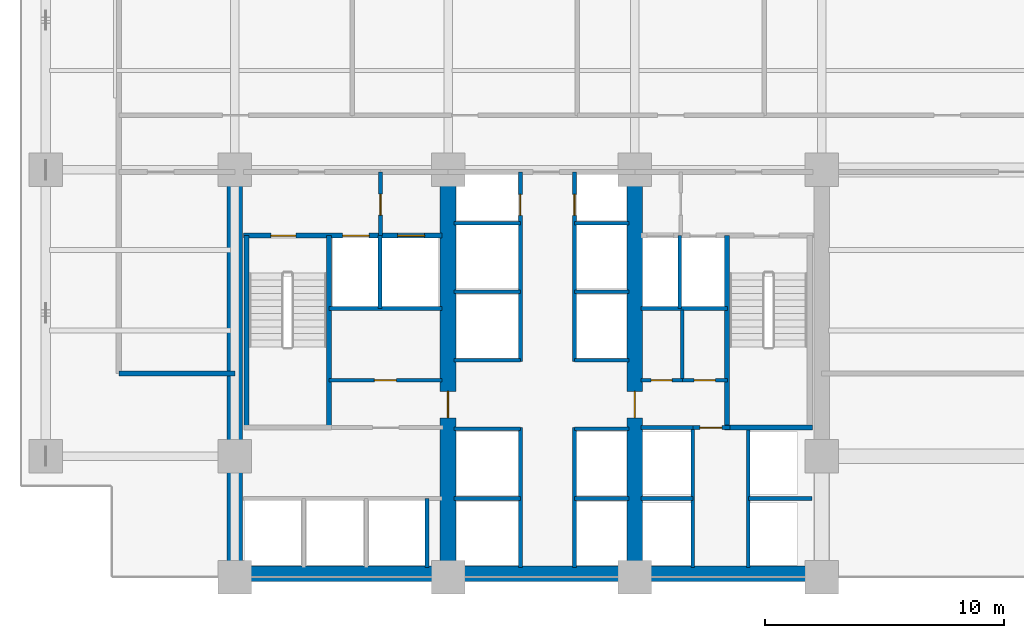
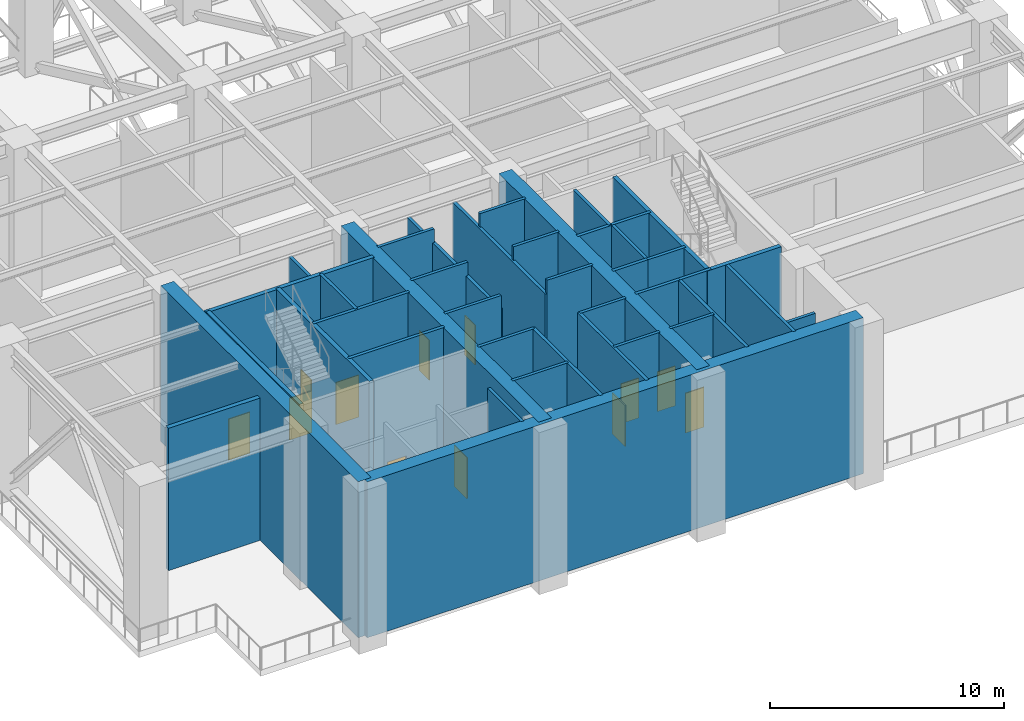
# One storey, part 3 of 7: 40 walls, 12 doors, 12 openings.
"""IFC4 building model written with IfcOpenShell, lengths in metres."""

from ifc_helpers import new_model, si_unit, direction, frame, frame_2d, origin, place, context, subcontext, project, spatial, rectangle, extrude, material, layer, layer_set, type_object, element, fill, save


model = new_model("IFC4")

# Units and contexts
model_context = context("Model", 3, precision=1e-05, world=origin(), true_north=direction((0.0, 1.0)))
body_context = subcontext(model_context, "Body", "Model", "MODEL_VIEW")
ifc_project = project(units=[si_unit("LENGTHUNIT", "METRE"), si_unit("AREAUNIT", "SQUARE_METRE"), si_unit("VOLUMEUNIT", "CUBIC_METRE"), si_unit("PLANEANGLEUNIT", "RADIAN"), si_unit("MASSUNIT", "GRAM", prefix="KILO")], contexts=[model_context])

# Site, building, storey
site_placement = place(None, origin())
site = spatial("IfcSite", under=ifc_project, at=site_placement, CompositionType="ELEMENT")
building_placement = place(site_placement, origin())
building = spatial("IfcBuilding", under=site, at=building_placement, Name="Qalmaran Belvedere Hotel", CompositionType="ELEMENT")
storey_placement = place(building_placement, frame((0.0, 0.0, 75.39990234375)))
storey = spatial("IfcBuildingStorey", under=building, at=storey_placement, Name="L19", CompositionType="ELEMENT", Elevation=75.39990234375)

# Walls
ifc_material_1 = material(Name="Concrete C60/75", Category="concrete")
ifc_layer_1 = layer(ifc_material_1, 0.64990234375, Name="Concrete C60/75")
ifc_layer_set_1 = layer_set([ifc_layer_1], Name="Concrete C60/75")
wall_type_1 = type_object("IfcWallType", Name="WL-CORE-650-C60", PredefinedType="SHEAR", material=ifc_layer_set_1)
wall_1_placement = place(storey_placement, frame((20.300048828125, 3.6298828125, 0.0), z_axis=(0.0, 0.0, 1.0), x_axis=(1.0, 0.0, 0.0)))
element("IfcWall", 1, at=wall_1_placement, inside=storey, type_object=wall_type_1, Name="L19 South Core Shear Wall", PredefinedType="SHEAR", context=body_context, shape_type="SweptSolid", body=[
    extrude(rectangle(XDim=24.5, YDim=0.64990234375, at=frame_2d((12.25, 0.0))), origin(), (0.0, 0.0, 1.0), 8.14013671875),
])
wall_2_placement = place(storey_placement, frame((20.300048828125, 3.5, 0.0), z_axis=(0.0, 0.0, 1.0), x_axis=(0.0, 1.0, 0.0)))
element("IfcWall", 2, at=wall_2_placement, inside=storey, type_object=wall_type_1, Name="L19 West Core Shear Wall", PredefinedType="SHEAR", context=body_context, shape_type="SweptSolid", body=[
    extrude(rectangle(XDim=16.89990234375, YDim=0.64990234375, at=frame_2d((8.449951171875, 0.0))), origin(), (0.0, 0.0, 1.0), 8.14013671875),
])

# Wall, opening, door
wall_3_placement = place(storey_placement, frame((29.199951171875, 3.5, 0.0), z_axis=(0.0, 0.0, 1.0), x_axis=(0.0, 1.0, 0.0)))
wall_3 = element("IfcWall", 3, at=wall_3_placement, inside=storey, type_object=wall_type_1, Name="L19 Core West Spine Shear Wall", PredefinedType="SHEAR", context=body_context, shape_type="SweptSolid", body=[
    extrude(rectangle(XDim=16.89990234375, YDim=0.64990234375, at=frame_2d((8.449951171875, 0.0))), origin(), (0.0, 0.0, 1.0), 8.14013671875),
])
opening_1_placement = place(wall_3_placement, frame((7.75, 0.0, 0.0), z_axis=(0.0, 0.0, 1.0), x_axis=(-1.0, 0.0, 0.0)))
opening_1 = element("IfcOpeningElement", 4, at=opening_1_placement, cuts=wall_3, Name="Opening FD90", PredefinedType="OPENING", context=body_context, shape_type="SweptSolid", body=[
    extrude(rectangle(XDim=1.10009765625, YDim=2.14990234375, at=frame_2d((0.550048828125, 1.074951171875))), frame((0.0, 0.3349609375, 0.0), z_axis=(0.0, -1.0, 0.0), x_axis=(1.0, 0.0, 0.0)), (0.0, 0.0, 1.0), 0.669921875),
])
ifc_material_2 = material(Name="Steel S355JR", Category="steel")
door_type_1 = type_object("IfcDoorType", Name="DR-FD90-1100X2150", OperationType="NOTDEFINED", PredefinedType="DOOR", material=ifc_material_2)
door_1_placement = place(opening_1_placement, origin())
door_1 = element("IfcDoor", 5, at=door_1_placement, inside=storey, type_object=door_type_1, Name="L19 Core West Cross-Lobby Door", OperationType="SINGLE_SWING_RIGHT", OverallHeight=2.14990234375, OverallWidth=1.10009765625, PredefinedType="DOOR", context=body_context, shape_type="SweptSolid", body=[
    extrude(rectangle(XDim=1.10009765625, YDim=2.14990234375, at=frame_2d((0.550048828125, 1.074951171875))), frame((0.0, 0.02490234375, 0.0), z_axis=(0.0, -1.0, 0.0), x_axis=(1.0, 0.0, 0.0)), (0.0, 0.0, 1.0), 0.050048828125),
])
fill(opening_1, door_1)

wall_4_placement = place(storey_placement, frame((37.0, 3.5, 0.0), z_axis=(0.0, 0.0, 1.0), x_axis=(0.0, 1.0, 0.0)))
wall_4 = element("IfcWall", 6, at=wall_4_placement, inside=storey, type_object=wall_type_1, Name="L19 Core East Spine Shear Wall", PredefinedType="SHEAR", context=body_context, shape_type="SweptSolid", body=[
    extrude(rectangle(XDim=16.89990234375, YDim=0.64990234375, at=frame_2d((8.449951171875, 0.0))), origin(), (0.0, 0.0, 1.0), 8.14013671875),
])
opening_2_placement = place(wall_4_placement, frame((6.64990234375, 0.0, 0.0)))
opening_2 = element("IfcOpeningElement", 7, at=opening_2_placement, cuts=wall_4, Name="Opening FD90", PredefinedType="OPENING", context=body_context, shape_type="SweptSolid", body=[
    extrude(rectangle(XDim=1.10009765625, YDim=2.14990234375, at=frame_2d((0.550048828125, 1.074951171875))), frame((0.0, 0.3349609375, 0.0), z_axis=(0.0, -1.0, 0.0), x_axis=(1.0, 0.0, 0.0)), (0.0, 0.0, 1.0), 0.669921875),
])
door_2_placement = place(opening_2_placement, origin())
door_2 = element("IfcDoor", 8, at=door_2_placement, inside=storey, type_object=door_type_1, Name="L19 Core East Cross-Lobby Door", OperationType="SINGLE_SWING_LEFT", OverallHeight=2.14990234375, OverallWidth=1.10009765625, PredefinedType="DOOR", context=body_context, shape_type="SweptSolid", body=[
    extrude(rectangle(XDim=1.10009765625, YDim=2.14990234375, at=frame_2d((0.550048828125, 1.074951171875))), frame((0.0, 0.02490234375, 0.0), z_axis=(0.0, -1.0, 0.0), x_axis=(1.0, 0.0, 0.0)), (0.0, 0.0, 1.0), 0.050048828125),
])
fill(opening_2, door_2)

# Walls
ifc_material_3 = material(Name="Gypsum Stud Partition")
ifc_layer_2 = layer(ifc_material_3, 0.14990234375, Name="Gypsum Stud Partition")
ifc_layer_set_2 = layer_set([ifc_layer_2], Name="Gypsum Stud Partition")
wall_type_2 = type_object("IfcWallType", Name="WL-INT-150-EI120", PredefinedType="PARTITIONING", material=ifc_layer_set_2)
for number, where, z_axis, x_axis, name in (
    (9, (26.360107421875, 14.719970703125, 0.0), (0.0, 0.0, 1.0), (0.0, 1.0, 0.0), "L19 Partition WL-FF1M-L19"),
    (10, (38.8798828125, 14.719970703125, 0.0), (0.0, 0.0, 1.0), (0.0, 1.0, 0.0), "L19 Partition WL-FF2M-L19"),
):
    element("IfcWall", number, at=place(storey_placement, frame(where, z_axis=z_axis, x_axis=x_axis)), inside=storey, type_object=wall_type_2, Name=name, PredefinedType="PARTITIONING", context=body_context, shape_type="SweptSolid", body=[
        extrude(rectangle(XDim=3.0400390625, YDim=0.14990234375, at=frame_2d((1.52001953125, 0.0))), origin(), (0.0, 0.0, 1.0), 8.14013671875),
    ])
wall_5_placement = place(storey_placement, frame((28.320068359375, 3.89990234375, 0.0), z_axis=(0.0, 0.0, 1.0), x_axis=(0.0, 1.0, 0.0)))
element("IfcWall", 11, at=wall_5_placement, inside=storey, type_object=wall_type_2, Name="L19 Partition WL-POM3-L19", PredefinedType="PARTITIONING", context=body_context, shape_type="SweptSolid", body=[
    extrude(rectangle(XDim=2.880126953125, YDim=0.14990234375, at=frame_2d((1.43994140625, 0.0))), origin(), (0.0, 0.0, 1.0), 8.14013671875),
])
wall_6_placement = place(storey_placement, frame((37.25, 6.780029296875, 0.0), z_axis=(0.0, 0.0, 1.0), x_axis=(1.0, 0.0, 0.0)))
element("IfcWall", 12, at=wall_6_placement, inside=storey, type_object=wall_type_2, Name="L19 Partition WL-PHMW-L19", PredefinedType="PARTITIONING", context=body_context, shape_type="SweptSolid", body=[
    extrude(rectangle(XDim=2.169921875, YDim=0.14990234375, at=frame_2d((1.0849609375, 0.0))), origin(), (0.0, 0.0, 1.0), 8.14013671875),
])
wall_7_placement = place(storey_placement, frame((41.739990234375, 6.780029296875, 0.0), z_axis=(0.0, 0.0, 1.0), x_axis=(1.0, 0.0, 0.0)))
element("IfcWall", 13, at=wall_7_placement, inside=storey, type_object=wall_type_2, Name="L19 Partition WL-PHME-L19", PredefinedType="PARTITIONING", context=body_context, shape_type="SweptSolid", body=[
    extrude(rectangle(XDim=2.659912109375, YDim=0.14990234375, at=frame_2d((1.330078125, 0.0))), origin(), (0.0, 0.0, 1.0), 6.445068359375),
])
wall_8_placement = place(storey_placement, frame((29.449951171875, 6.780029296875, 0.0), z_axis=(0.0, 0.0, 1.0), x_axis=(1.0, 0.0, 0.0)))
element("IfcWall", 14, at=wall_8_placement, inside=storey, type_object=wall_type_2, Name="L19 Partition WL-PLW-L19-67", PredefinedType="PARTITIONING", context=body_context, shape_type="SweptSolid", body=[
    extrude(rectangle(XDim=2.77001953125, YDim=0.14990234375, at=frame_2d((1.385009765625, 0.0))), origin(), (0.0, 0.0, 1.0), 8.14013671875),
])
wall_9_placement = place(storey_placement, frame((34.47998046875, 6.780029296875, 0.0), z_axis=(0.0, 0.0, 1.0), x_axis=(1.0, 0.0, 0.0)))
element("IfcWall", 15, at=wall_9_placement, inside=storey, type_object=wall_type_2, Name="L19 Partition WL-PLE-L19-67", PredefinedType="PARTITIONING", context=body_context, shape_type="SweptSolid", body=[
    extrude(rectangle(XDim=2.27001953125, YDim=0.14990234375, at=frame_2d((1.135009765625, 0.0))), origin(), (0.0, 0.0, 1.0), 8.14013671875),
])
wall_10_placement = place(storey_placement, frame((29.449951171875, 9.699951171875, 0.0), z_axis=(0.0, 0.0, 1.0), x_axis=(1.0, 0.0, 0.0)))
element("IfcWall", 16, at=wall_10_placement, inside=storey, type_object=wall_type_2, Name="L19 Partition WL-PLW-L19-97", PredefinedType="PARTITIONING", context=body_context, shape_type="SweptSolid", body=[
    extrude(rectangle(XDim=2.77001953125, YDim=0.14990234375, at=frame_2d((1.385009765625, 0.0))), origin(), (0.0, 0.0, 1.0), 8.14013671875),
])
wall_11_placement = place(storey_placement, frame((34.47998046875, 9.699951171875, 0.0), z_axis=(0.0, 0.0, 1.0), x_axis=(1.0, 0.0, 0.0)))
element("IfcWall", 17, at=wall_11_placement, inside=storey, type_object=wall_type_2, Name="L19 Partition WL-PLE-L19-97", PredefinedType="PARTITIONING", context=body_context, shape_type="SweptSolid", body=[
    extrude(rectangle(XDim=2.27001953125, YDim=0.14990234375, at=frame_2d((1.135009765625, 0.0))), origin(), (0.0, 0.0, 1.0), 8.14013671875),
])
wall_12_placement = place(storey_placement, frame((29.449951171875, 12.550048828125, 0.0), z_axis=(0.0, 0.0, 1.0), x_axis=(1.0, 0.0, 0.0)))
element("IfcWall", 18, at=wall_12_placement, inside=storey, type_object=wall_type_2, Name="L19 Partition WL-PMW-L19-125", PredefinedType="PARTITIONING", context=body_context, shape_type="SweptSolid", body=[
    extrude(rectangle(XDim=2.77001953125, YDim=0.14990234375, at=frame_2d((1.385009765625, 0.0))), origin(), (0.0, 0.0, 1.0), 8.14013671875),
])
wall_13_placement = place(storey_placement, frame((34.47998046875, 12.550048828125, 0.0), z_axis=(0.0, 0.0, 1.0), x_axis=(1.0, 0.0, 0.0)))
element("IfcWall", 19, at=wall_13_placement, inside=storey, type_object=wall_type_2, Name="L19 Partition WL-PME-L19-125", PredefinedType="PARTITIONING", context=body_context, shape_type="SweptSolid", body=[
    extrude(rectangle(XDim=2.27001953125, YDim=0.14990234375, at=frame_2d((1.135009765625, 0.0))), origin(), (0.0, 0.0, 1.0), 8.14013671875),
])
wall_14_placement = place(storey_placement, frame((29.449951171875, 15.419921875, 0.0), z_axis=(0.0, 0.0, 1.0), x_axis=(1.0, 0.0, 0.0)))
element("IfcWall", 20, at=wall_14_placement, inside=storey, type_object=wall_type_2, Name="L19 Partition WL-PMW-L19-154", PredefinedType="PARTITIONING", context=body_context, shape_type="SweptSolid", body=[
    extrude(rectangle(XDim=2.77001953125, YDim=0.14990234375, at=frame_2d((1.385009765625, 0.0))), origin(), (0.0, 0.0, 1.0), 8.14013671875),
])
wall_15_placement = place(storey_placement, frame((34.47998046875, 15.419921875, 0.0), z_axis=(0.0, 0.0, 1.0), x_axis=(1.0, 0.0, 0.0)))
element("IfcWall", 21, at=wall_15_placement, inside=storey, type_object=wall_type_2, Name="L19 Partition WL-PME-L19-154", PredefinedType="PARTITIONING", context=body_context, shape_type="SweptSolid", body=[
    extrude(rectangle(XDim=2.27001953125, YDim=0.14990234375, at=frame_2d((1.135009765625, 0.0))), origin(), (0.0, 0.0, 1.0), 8.14013671875),
])
wall_16_placement = place(storey_placement, frame((29.449951171875, 18.280029296875, 0.0), z_axis=(0.0, 0.0, 1.0), x_axis=(1.0, 0.0, 0.0)))
element("IfcWall", 22, at=wall_16_placement, inside=storey, type_object=wall_type_2, Name="L19 Partition WL-PMW-L19-182", PredefinedType="PARTITIONING", context=body_context, shape_type="SweptSolid", body=[
    extrude(rectangle(XDim=2.77001953125, YDim=0.14990234375, at=frame_2d((1.385009765625, 0.0))), origin(), (0.0, 0.0, 1.0), 8.14013671875),
])
wall_17_placement = place(storey_placement, frame((34.47998046875, 18.280029296875, 0.0), z_axis=(0.0, 0.0, 1.0), x_axis=(1.0, 0.0, 0.0)))
element("IfcWall", 23, at=wall_17_placement, inside=storey, type_object=wall_type_2, Name="L19 Partition WL-PME-L19-182", PredefinedType="PARTITIONING", context=body_context, shape_type="SweptSolid", body=[
    extrude(rectangle(XDim=2.27001953125, YDim=0.14990234375, at=frame_2d((1.135009765625, 0.0))), origin(), (0.0, 0.0, 1.0), 8.14013671875),
])
ifc_layer_3 = layer(ifc_material_3, 0.14990234375, Name="Gypsum Stud Partition")
ifc_layer_set_3 = layer_set([ifc_layer_3], Name="Gypsum Stud Partition")
wall_type_3 = type_object("IfcWallType", Name="WL-INT-150-EI60", PredefinedType="PARTITIONING", material=ifc_layer_set_3)
wall_18_placement = place(storey_placement, frame((38.98291015625, 11.719970703125, 0.0), z_axis=(0.0, 0.0, 1.0), x_axis=(0.0, 1.0, 0.0)))
element("IfcWall", 24, at=wall_18_placement, inside=storey, type_object=wall_type_3, Name="L19 Partition WL-L19-KEV1", PredefinedType="PARTITIONING", context=body_context, shape_type="SweptSolid", body=[
    extrude(rectangle(XDim=2.929931640625, YDim=0.14990234375, at=frame_2d((1.46484375, 0.0))), origin(), (0.0, 0.0, 1.0), 8.14013671875),
])

# Wall, opening, door
ifc_layer_4 = layer(ifc_material_3, 0.159912109375, Name="Gypsum Stud Partition")
ifc_layer_set_4 = layer_set([ifc_layer_4], Name="Gypsum Stud Partition")
wall_type_4 = type_object("IfcWallType", Name="WL-INT-160-EI120", PredefinedType="PARTITIONING", material=ifc_layer_set_4)
wall_19_placement = place(storey_placement, frame((26.3798828125, 17.760009765625, 0.0), z_axis=(0.0, 0.0, 1.0), x_axis=(0.0, 1.0, 0.0)))
wall_19 = element("IfcWall", 25, at=wall_19_placement, inside=storey, type_object=wall_type_4, Name="L19 Partition WL-FFSV1-L19", PredefinedType="PARTITIONING", context=body_context, shape_type="SweptSolid", body=[
    extrude(rectangle(XDim=2.659912109375, YDim=0.159912109375, at=frame_2d((1.330078125, 0.0))), origin(), (0.0, 0.0, 1.0), 7.43017578125),
])
opening_3_placement = place(wall_19_placement, frame((0.85009765625, 0.0, 0.0)))
opening_3 = element("IfcOpeningElement", 26, at=opening_3_placement, cuts=wall_19, Name="Opening FD60B", PredefinedType="OPENING", context=body_context, shape_type="SweptSolid", body=[
    extrude(rectangle(XDim=0.8798828125, YDim=2.080078125, at=frame_2d((0.43994140625, 1.0400390625))), frame((0.0, 0.08984375, 0.0), z_axis=(0.0, -1.0, 0.0), x_axis=(1.0, 0.0, 0.0)), (0.0, 0.0, 1.0), 0.179931640625),
])
door_type_2 = type_object("IfcDoorType", Name="DR-FD60B-880X2080", OperationType="NOTDEFINED", PredefinedType="DOOR", material=ifc_material_2)
door_3_placement = place(opening_3_placement, origin())
door_3 = element("IfcDoor", 27, at=door_3_placement, inside=storey, type_object=door_type_2, Name="L19 Service Lobby West Door", OperationType="SINGLE_SWING_RIGHT", OverallHeight=2.080078125, OverallWidth=0.8798828125, PredefinedType="DOOR", context=body_context, shape_type="SweptSolid", body=[
    extrude(rectangle(XDim=0.8798828125, YDim=2.080078125, at=frame_2d((0.43994140625, 1.0400390625))), frame((0.0, 0.02490234375, 0.0), z_axis=(0.0, -1.0, 0.0), x_axis=(1.0, 0.0, 0.0)), (0.0, 0.0, 1.0), 0.050048828125),
])
fill(opening_3, door_3)

# Walls
wall_20_placement = place(storey_placement, frame((24.219970703125, 14.719970703125, 0.0), z_axis=(0.0, 0.0, 1.0), x_axis=(1.0, 0.0, 0.0)))
element("IfcWall", 28, at=wall_20_placement, inside=storey, type_object=wall_type_4, Name="L19 Partition WL-FF1S-L19", PredefinedType="PARTITIONING", context=body_context, shape_type="SweptSolid", body=[
    extrude(rectangle(XDim=4.72998046875, YDim=0.159912109375, at=frame_2d((2.364990234375, 0.0))), origin(), (0.0, 0.0, 1.0), 8.14013671875),
])
wall_21_placement = place(storey_placement, frame((37.25, 14.719970703125, 0.0), z_axis=(0.0, 0.0, 1.0), x_axis=(1.0, 0.0, 0.0)))
element("IfcWall", 29, at=wall_21_placement, inside=storey, type_object=wall_type_4, Name="L19 Partition WL-FF2S-L19", PredefinedType="PARTITIONING", context=body_context, shape_type="SweptSolid", body=[
    extrude(rectangle(XDim=3.610107421875, YDim=0.159912109375, at=frame_2d((1.80517578125, 0.0))), origin(), (0.0, 0.0, 1.0), 8.14013671875),
])
for number, where, z_axis, x_axis, name in (
    (30, (39.419921875, 3.89990234375, 0.0), (0.0, 0.0, 1.0), (0.0, 1.0, 0.0), "L19 Partition WL-PHW-L19"),
    (31, (41.739990234375, 3.89990234375, 0.0), (0.0, 0.0, 1.0), (0.0, 1.0, 0.0), "L19 Partition WL-PHE-L19"),
):
    element("IfcWall", number, at=place(storey_placement, frame(where, z_axis=z_axis, x_axis=x_axis)), inside=storey, type_object=wall_type_4, Name=name, PredefinedType="PARTITIONING", context=body_context, shape_type="SweptSolid", body=[
        extrude(rectangle(XDim=5.840087890625, YDim=0.159912109375, at=frame_2d((2.919921875, 0.0))), origin(), (0.0, 0.0, 1.0), 8.14013671875),
    ])
wall_22_placement = place(storey_placement, frame((37.25, 9.739990234375, 0.0), z_axis=(0.0, 0.0, 1.0), x_axis=(1.0, 0.0, 0.0)))
element("IfcWall", 32, at=wall_22_placement, inside=storey, type_object=wall_type_4, Name="L19 Partition WL-PHNW-L19", PredefinedType="PARTITIONING", context=body_context, shape_type="SweptSolid", body=[
    extrude(rectangle(XDim=2.169921875, YDim=0.159912109375, at=frame_2d((1.0849609375, 0.0))), origin(), (0.0, 0.0, 1.0), 8.14013671875),
])

# Wall, opening, door
wall_23_placement = place(storey_placement, frame((39.419921875, 9.739990234375, 0.0), z_axis=(0.0, 0.0, 1.0), x_axis=(1.0, 0.0, 0.0)))
wall_23 = element("IfcWall", 33, at=wall_23_placement, inside=storey, type_object=wall_type_4, Name="L19 Partition WL-PHNL-L19", PredefinedType="PARTITIONING", context=body_context, shape_type="SweptSolid", body=[
    extrude(rectangle(XDim=1.56005859375, YDim=0.159912109375, at=frame_2d((0.780029296875, 0.0))), origin(), (0.0, 0.0, 1.0), 8.14013671875),
])
opening_4_placement = place(wall_23_placement, frame((0.300048828125, 0.0, 0.0)))
opening_4 = element("IfcOpeningElement", 34, at=opening_4_placement, cuts=wall_23, Name="Opening FD60S1", PredefinedType="OPENING", context=body_context, shape_type="SweptSolid", body=[
    extrude(rectangle(XDim=0.919921875, YDim=2.080078125, at=frame_2d((0.4599609375, 1.0400390625))), frame((0.0, 0.08984375, 0.0), z_axis=(0.0, -1.0, 0.0), x_axis=(1.0, 0.0, 0.0)), (0.0, 0.0, 1.0), 0.179931640625),
])
ifc_material_4 = material(Name="Engineered Oak Veneer")
door_type_3 = type_object("IfcDoorType", Name="DR-FD60S-920X2080", OperationType="NOTDEFINED", PredefinedType="DOOR", material=ifc_material_4)
door_4_placement = place(opening_4_placement, origin())
door_4 = element("IfcDoor", 35, at=door_4_placement, inside=storey, type_object=door_type_3, Name="L19 High-Rise Lift Lobby Passage Door", OperationType="SINGLE_SWING_LEFT", OverallHeight=2.080078125, OverallWidth=0.919921875, PredefinedType="DOOR", context=body_context, shape_type="SweptSolid", body=[
    extrude(rectangle(XDim=0.919921875, YDim=2.080078125, at=frame_2d((0.4599609375, 1.0400390625))), frame((0.0, 0.02490234375, 0.0), z_axis=(0.0, -1.0, 0.0), x_axis=(1.0, 0.0, 0.0)), (0.0, 0.0, 1.0), 0.050048828125),
])
fill(opening_4, door_4)

# Walls
for number, where, z_axis, x_axis, name in (
    (36, (32.219970703125, 3.89990234375, 0.0), (0.0, 0.0, 1.0), (0.0, 1.0, 0.0), "L19 Partition WL-CLBWS-L19"),
    (37, (34.47998046875, 3.89990234375, 0.0), (0.0, 0.0, 1.0), (0.0, 1.0, 0.0), "L19 Partition WL-CLBES-L19"),
):
    element("IfcWall", number, at=place(storey_placement, frame(where, z_axis=z_axis, x_axis=x_axis)), inside=storey, type_object=wall_type_4, Name=name, PredefinedType="PARTITIONING", context=body_context, shape_type="SweptSolid", body=[
        extrude(rectangle(XDim=5.840087890625, YDim=0.159912109375, at=frame_2d((2.919921875, 0.0))), origin(), (0.0, 0.0, 1.0), 8.14013671875),
    ])

# Wall, opening, door
wall_24_placement = place(storey_placement, frame((32.219970703125, 12.5, 0.0), z_axis=(0.0, 0.0, 1.0), x_axis=(0.0, 1.0, 0.0)))
wall_24 = element("IfcWall", 38, at=wall_24_placement, inside=storey, type_object=wall_type_4, Name="L19 Partition WL-CLBWN-L19", PredefinedType="PARTITIONING", context=body_context, shape_type="SweptSolid", body=[
    extrude(rectangle(XDim=7.919921875, YDim=0.159912109375, at=frame_2d((3.9599609375, 0.0))), origin(), (0.0, 0.0, 1.0), 7.43017578125),
])
opening_5_placement = place(wall_24_placement, frame((6.10009765625, 0.0, 0.0)))
opening_5 = element("IfcOpeningElement", 39, at=opening_5_placement, cuts=wall_24, Name="Opening FD60B", PredefinedType="OPENING", context=body_context, shape_type="SweptSolid", body=[
    extrude(rectangle(XDim=0.8798828125, YDim=2.080078125, at=frame_2d((0.43994140625, 1.0400390625))), frame((0.0, 0.08984375, 0.0), z_axis=(0.0, -1.0, 0.0), x_axis=(1.0, 0.0, 0.0)), (0.0, 0.0, 1.0), 0.179931640625),
])
door_5_placement = place(opening_5_placement, origin())
door_5 = element("IfcDoor", 40, at=door_5_placement, inside=storey, type_object=door_type_2, Name="L19 West Riser Access Door", OperationType="SINGLE_SWING_RIGHT", OverallHeight=2.080078125, OverallWidth=0.8798828125, PredefinedType="DOOR", context=body_context, shape_type="SweptSolid", body=[
    extrude(rectangle(XDim=0.8798828125, YDim=2.080078125, at=frame_2d((0.43994140625, 1.0400390625))), frame((0.0, 0.02490234375, 0.0), z_axis=(0.0, -1.0, 0.0), x_axis=(1.0, 0.0, 0.0)), (0.0, 0.0, 1.0), 0.050048828125),
])
fill(opening_5, door_5)

wall_25_placement = place(storey_placement, frame((34.47998046875, 12.5, 0.0), z_axis=(0.0, 0.0, 1.0), x_axis=(0.0, 1.0, 0.0)))
wall_25 = element("IfcWall", 41, at=wall_25_placement, inside=storey, type_object=wall_type_4, Name="L19 Partition WL-CLBEN-L19", PredefinedType="PARTITIONING", context=body_context, shape_type="SweptSolid", body=[
    extrude(rectangle(XDim=7.919921875, YDim=0.159912109375, at=frame_2d((3.9599609375, 0.0))), origin(), (0.0, 0.0, 1.0), 7.43017578125),
])
opening_6_placement = place(wall_25_placement, frame((6.97998046875, 0.0, 0.0), z_axis=(0.0, 0.0, 1.0), x_axis=(-1.0, 0.0, 0.0)))
opening_6 = element("IfcOpeningElement", 42, at=opening_6_placement, cuts=wall_25, Name="Opening FD60B", PredefinedType="OPENING", context=body_context, shape_type="SweptSolid", body=[
    extrude(rectangle(XDim=0.8798828125, YDim=2.080078125, at=frame_2d((0.43994140625, 1.0400390625))), frame((0.0, 0.08984375, 0.0), z_axis=(0.0, -1.0, 0.0), x_axis=(1.0, 0.0, 0.0)), (0.0, 0.0, 1.0), 0.179931640625),
])
door_6_placement = place(opening_6_placement, origin())
door_6 = element("IfcDoor", 43, at=door_6_placement, inside=storey, type_object=door_type_2, Name="L19 East Riser Access Door", OperationType="SINGLE_SWING_LEFT", OverallHeight=2.080078125, OverallWidth=0.8798828125, PredefinedType="DOOR", context=body_context, shape_type="SweptSolid", body=[
    extrude(rectangle(XDim=0.8798828125, YDim=2.080078125, at=frame_2d((0.43994140625, 1.0400390625))), frame((0.0, 0.02490234375, 0.0), z_axis=(0.0, -1.0, 0.0), x_axis=(1.0, 0.0, 0.0)), (0.0, 0.0, 1.0), 0.050048828125),
])
fill(opening_6, door_6)

ifc_layer_5 = layer(ifc_material_3, 0.159912109375, Name="Gypsum Stud Partition")
ifc_layer_set_5 = layer_set([ifc_layer_5], Name="Gypsum Stud Partition")
wall_type_5 = type_object("IfcWallType", Name="WL-INT-160-EI60", PredefinedType="PARTITIONING", material=ifc_layer_set_5)
wall_26_placement = place(storey_placement, frame((24.219970703125, 11.719970703125, 0.0), z_axis=(0.0, 0.0, 1.0), x_axis=(1.0, 0.0, 0.0)))
wall_26 = element("IfcWall", 44, at=wall_26_placement, inside=storey, type_object=wall_type_5, Name="L19 Partition WL-L19-KWE1", PredefinedType="PARTITIONING", context=body_context, shape_type="SweptSolid", body=[
    extrude(rectangle(XDim=4.72998046875, YDim=0.159912109375, at=frame_2d((2.364990234375, 0.0))), origin(), (0.0, 0.0, 1.0), 8.14013671875),
])
opening_7_placement = place(wall_26_placement, frame((1.905029296875, 0.0, 0.0)))
opening_7 = element("IfcOpeningElement", 45, at=opening_7_placement, cuts=wall_26, Name="Opening FD60S1", PredefinedType="OPENING", context=body_context, shape_type="SweptSolid", body=[
    extrude(rectangle(XDim=0.919921875, YDim=2.080078125, at=frame_2d((0.4599609375, 1.0400390625))), frame((0.0, 0.08984375, 0.0), z_axis=(0.0, -1.0, 0.0), x_axis=(1.0, 0.0, 0.0)), (0.0, 0.0, 1.0), 0.179931640625),
])
door_7_placement = place(opening_7_placement, origin())
door_7 = element("IfcDoor", 46, at=door_7_placement, inside=storey, type_object=door_type_3, Name="L19 Electrical Switchgear Plant Room Door", OperationType="SINGLE_SWING_LEFT", OverallHeight=2.080078125, OverallWidth=0.919921875, PredefinedType="DOOR", context=body_context, shape_type="SweptSolid", body=[
    extrude(rectangle(XDim=0.919921875, YDim=2.080078125, at=frame_2d((0.4599609375, 1.0400390625))), frame((0.0, 0.02490234375, 0.0), z_axis=(0.0, -1.0, 0.0), x_axis=(1.0, 0.0, 0.0)), (0.0, 0.0, 1.0), 0.050048828125),
])
fill(opening_7, door_7)

wall_27_placement = place(storey_placement, frame((37.25, 11.719970703125, 0.0), z_axis=(0.0, 0.0, 1.0), x_axis=(1.0, 0.0, 0.0)))
wall_27 = element("IfcWall", 47, at=wall_27_placement, inside=storey, type_object=wall_type_5, Name="L19 Partition WL-L19-KEE1", PredefinedType="PARTITIONING", context=body_context, shape_type="SweptSolid", body=[
    extrude(rectangle(XDim=1.73291015625, YDim=0.159912109375, at=frame_2d((0.866455078125, 0.0))), origin(), (0.0, 0.0, 1.0), 8.14013671875),
])
opening_8_placement = place(wall_27_placement, frame((0.426513671875, 0.0, 0.0)))
opening_8 = element("IfcOpeningElement", 48, at=opening_8_placement, cuts=wall_27, Name="Opening FD60B", PredefinedType="OPENING", context=body_context, shape_type="SweptSolid", body=[
    extrude(rectangle(XDim=0.8798828125, YDim=2.080078125, at=frame_2d((0.43994140625, 1.0400390625))), frame((0.0, 0.08984375, 0.0), z_axis=(0.0, -1.0, 0.0), x_axis=(1.0, 0.0, 0.0)), (0.0, 0.0, 1.0), 0.179931640625),
])
door_8_placement = place(opening_8_placement, origin())
door_8 = element("IfcDoor", 49, at=door_8_placement, inside=storey, type_object=door_type_2, Name="L19 Smoke Control Plant Room Door", OperationType="SINGLE_SWING_RIGHT", OverallHeight=2.080078125, OverallWidth=0.8798828125, PredefinedType="DOOR", context=body_context, shape_type="SweptSolid", body=[
    extrude(rectangle(XDim=0.8798828125, YDim=2.080078125, at=frame_2d((0.43994140625, 1.0400390625))), frame((0.0, 0.02490234375, 0.0), z_axis=(0.0, -1.0, 0.0), x_axis=(1.0, 0.0, 0.0)), (0.0, 0.0, 1.0), 0.050048828125),
])
fill(opening_8, door_8)

wall_28_placement = place(storey_placement, frame((38.98291015625, 11.719970703125, 0.0), z_axis=(0.0, 0.0, 1.0), x_axis=(1.0, 0.0, 0.0)))
wall_28 = element("IfcWall", 50, at=wall_28_placement, inside=storey, type_object=wall_type_5, Name="L19 Partition WL-L19-KEE2", PredefinedType="PARTITIONING", context=body_context, shape_type="SweptSolid", body=[
    extrude(rectangle(XDim=1.877197265625, YDim=0.159912109375, at=frame_2d((0.9384765625, 0.0))), origin(), (0.0, 0.0, 1.0), 8.14013671875),
])
opening_9_placement = place(wall_28_placement, frame((0.49853515625, 0.0, 0.0)))
opening_9 = element("IfcOpeningElement", 51, at=opening_9_placement, cuts=wall_28, Name="Opening FD60B", PredefinedType="OPENING", context=body_context, shape_type="SweptSolid", body=[
    extrude(rectangle(XDim=0.8798828125, YDim=2.080078125, at=frame_2d((0.43994140625, 1.0400390625))), frame((0.0, 0.08984375, 0.0), z_axis=(0.0, -1.0, 0.0), x_axis=(1.0, 0.0, 0.0)), (0.0, 0.0, 1.0), 0.179931640625),
])
door_9_placement = place(opening_9_placement, origin())
door_9 = element("IfcDoor", 52, at=door_9_placement, inside=storey, type_object=door_type_2, Name="L19 Low Voltage Switch Plant Room Door", OperationType="SINGLE_SWING_LEFT", OverallHeight=2.080078125, OverallWidth=0.8798828125, PredefinedType="DOOR", context=body_context, shape_type="SweptSolid", body=[
    extrude(rectangle(XDim=0.8798828125, YDim=2.080078125, at=frame_2d((0.43994140625, 1.0400390625))), frame((0.0, 0.02490234375, 0.0), z_axis=(0.0, -1.0, 0.0), x_axis=(1.0, 0.0, 0.0)), (0.0, 0.0, 1.0), 0.050048828125),
])
fill(opening_9, door_9)

# Walls
ifc_material_5 = material(Name="Concrete C30/37 Blockwork", Category="masonry")
ifc_layer_6 = layer(ifc_material_5, 0.219970703125, Name="Concrete C30/37 Blockwork")
ifc_layer_set_6 = layer_set([ifc_layer_6], Name="Concrete C30/37 Blockwork")
wall_type_6 = type_object("IfcWallType", Name="WL-INT-220-EI120", PredefinedType="PARTITIONING", material=ifc_layer_set_6)
wall_29_placement = place(storey_placement, frame((15.449951171875, 12.0, 0.0), z_axis=(0.0, 0.0, 1.0), x_axis=(1.0, 0.0, 0.0)))
element("IfcWall", 53, at=wall_29_placement, inside=storey, type_object=wall_type_6, Name="L19 Partition WL-L19-PRSW", PredefinedType="PARTITIONING", context=body_context, shape_type="SweptSolid", body=[
    extrude(rectangle(XDim=4.85009765625, YDim=0.219970703125, at=frame_2d((2.425048828125, 0.0))), origin(), (0.0, 0.0, 1.0), 7.43017578125),
])
ifc_material_6 = material(Name="Concrete C50/60", Category="concrete")
ifc_layer_7 = layer(ifc_material_6, 0.2099609375, Name="Concrete C50/60")
ifc_layer_set_7 = layer_set([ifc_layer_7], Name="Concrete C50/60")
wall_type_7 = type_object("IfcWallType", Name="WL-STAIR-210-C50", PredefinedType="SHEAR", material=ifc_layer_set_7)
for number, where, z_axis, x_axis, name in (
    (54, (20.77490234375, 9.7451171875, 0.0), (0.0, 0.0, 1.0), (0.0, 1.0, 0.0), "L19 Stair ST-1 West Bearing Wall"),
    (55, (24.22509765625, 9.7451171875, 0.0), (0.0, 0.0, 1.0), (0.0, 1.0, 0.0), "L19 Stair ST-1 East Bearing Wall"),
):
    element("IfcWall", number, at=place(storey_placement, frame(where, z_axis=z_axis, x_axis=x_axis)), inside=storey, type_object=wall_type_7, Name=name, PredefinedType="SHEAR", context=body_context, shape_type="SweptSolid", body=[
        extrude(rectangle(XDim=8.009765625, YDim=0.2099609375, at=frame_2d((4.0048828125, 0.0))), origin(), (0.0, 0.0, 1.0), 8.14013671875),
    ])

# Wall, openings, doors
wall_30_placement = place(storey_placement, frame((20.64990234375, 17.7548828125, 0.0), z_axis=(0.0, 0.0, 1.0), x_axis=(1.0, 0.0, 0.0)))
wall_30 = element("IfcWall", 56, at=wall_30_placement, inside=storey, type_object=wall_type_7, Name="L19 West Lobby and Stair ST-1 North Bearing Wall", PredefinedType="SHEAR", context=body_context, shape_type="SweptSolid", body=[
    extrude(rectangle(XDim=8.300048828125, YDim=0.2099609375, at=frame_2d((4.14990234375, 0.0))), origin(), (0.0, 0.0, 1.0), 8.14013671875),
])
opening_10_placement = place(wall_30_placement, frame((2.199951171875, 0.0, 0.0), z_axis=(0.0, 0.0, 1.0), x_axis=(-1.0, 0.0, 0.0)))
opening_10 = element("IfcOpeningElement", 57, at=opening_10_placement, cuts=wall_30, Name="Opening FD90S2", PredefinedType="OPENING", context=body_context, shape_type="SweptSolid", body=[
    extrude(rectangle(XDim=1.050048828125, YDim=2.14990234375, at=frame_2d((0.52490234375, 1.074951171875))), frame((0.0, 0.114990234375, 0.0), z_axis=(0.0, -1.0, 0.0), x_axis=(1.0, 0.0, 0.0)), (0.0, 0.0, 1.0), 0.22998046875),
])
opening_11_placement = place(wall_30_placement, frame((4.14990234375, 0.0, 0.0)))
opening_11 = element("IfcOpeningElement", 58, at=opening_11_placement, cuts=wall_30, Name="Opening LD-FF", PredefinedType="OPENING", context=body_context, shape_type="SweptSolid", body=[
    extrude(rectangle(XDim=1.10009765625, YDim=2.179931640625, at=frame_2d((0.550048828125, 1.08984375))), frame((0.0, 0.114990234375, 0.0), z_axis=(0.0, -1.0, 0.0), x_axis=(1.0, 0.0, 0.0)), (0.0, 0.0, 1.0), 0.22998046875),
])
opening_12_placement = place(wall_30_placement, frame((6.449951171875, 0.0, 0.0)))
opening_12 = element("IfcOpeningElement", 59, at=opening_12_placement, cuts=wall_30, Name="Opening LD-SV", PredefinedType="OPENING", context=body_context, shape_type="SweptSolid", body=[
    extrude(rectangle(XDim=1.1201171875, YDim=2.199951171875, at=frame_2d((0.56005859375, 1.10009765625))), frame((0.0, 0.114990234375, 0.0), z_axis=(0.0, -1.0, 0.0), x_axis=(1.0, 0.0, 0.0)), (0.0, 0.0, 1.0), 0.22998046875),
])
door_type_4 = type_object("IfcDoorType", Name="DR-FD90S-1050X2150", OperationType="NOTDEFINED", PredefinedType="DOOR", material=ifc_material_2)
door_10_placement = place(opening_10_placement, origin())
door_10 = element("IfcDoor", 60, at=door_10_placement, inside=storey, type_object=door_type_4, Name="L19 Stair ST-1 Door", OperationType="SINGLE_SWING_RIGHT", OverallHeight=2.14990234375, OverallWidth=1.050048828125, PredefinedType="DOOR", context=body_context, shape_type="SweptSolid", body=[
    extrude(rectangle(XDim=1.050048828125, YDim=2.14990234375, at=frame_2d((0.52490234375, 1.074951171875))), frame((0.0, 0.02490234375, 0.0), z_axis=(0.0, -1.0, 0.0), x_axis=(1.0, 0.0, 0.0)), (0.0, 0.0, 1.0), 0.050048828125),
])
fill(opening_10, door_10)
ifc_material_7 = material(Name="Stainless Steel 1.4401", Category="steel")
door_type_5 = type_object("IfcDoorType", Name="DR-LIFT-FF-1100X2180", OperationType="DOUBLE_DOOR_SLIDING", PredefinedType="DOOR", material=ifc_material_7)
door_11_placement = place(opening_11_placement, origin())
door_11 = element("IfcDoor", 61, at=door_11_placement, inside=storey, type_object=door_type_5, Name="L19 FF1 Lift Landing Door", OperationType="DOUBLE_DOOR_SLIDING", OverallHeight=2.179931640625, OverallWidth=1.10009765625, PredefinedType="DOOR", context=body_context, shape_type="SweptSolid", body=[
    extrude(rectangle(XDim=1.10009765625, YDim=2.179931640625, at=frame_2d((0.550048828125, 1.08984375))), frame((0.0, 0.02490234375, 0.0), z_axis=(0.0, -1.0, 0.0), x_axis=(1.0, 0.0, 0.0)), (0.0, 0.0, 1.0), 0.050048828125),
])
fill(opening_11, door_11)
door_type_6 = type_object("IfcDoorType", Name="DR-LIFT-SV-1120X2200", OperationType="DOUBLE_DOOR_SLIDING", PredefinedType="DOOR", material=ifc_material_7)
door_12_placement = place(opening_12_placement, origin())
door_12 = element("IfcDoor", 62, at=door_12_placement, inside=storey, type_object=door_type_6, Name="L19 SV1 Lift Landing Door", OperationType="DOUBLE_DOOR_SLIDING", OverallHeight=2.199951171875, OverallWidth=1.1201171875, PredefinedType="DOOR", context=body_context, shape_type="SweptSolid", body=[
    extrude(rectangle(XDim=1.1201171875, YDim=2.199951171875, at=frame_2d((0.56005859375, 1.10009765625))), frame((0.0, 0.02490234375, 0.0), z_axis=(0.0, -1.0, 0.0), x_axis=(1.0, 0.0, 0.0)), (0.0, 0.0, 1.0), 0.050048828125),
])
fill(opening_12, door_12)

# Walls
wall_31_placement = place(storey_placement, frame((40.85498046875, 9.7451171875, 0.0), z_axis=(0.0, 0.0, 1.0), x_axis=(0.0, 1.0, 0.0)))
element("IfcWall", 63, at=wall_31_placement, inside=storey, type_object=wall_type_7, Name="L19 Stair ST-2 West Bearing Wall", PredefinedType="SHEAR", context=body_context, shape_type="SweptSolid", body=[
    extrude(rectangle(XDim=8.009765625, YDim=0.2099609375, at=frame_2d((4.0048828125, 0.0))), origin(), (0.0, 0.0, 1.0), 8.14013671875),
])
wall_32_placement = place(storey_placement, frame((40.75, 9.7451171875, 0.0), z_axis=(0.0, 0.0, 1.0), x_axis=(1.0, 0.0, 0.0)))
element("IfcWall", 64, at=wall_32_placement, inside=storey, type_object=wall_type_7, Name="L19 Stair ST-2 South Bearing Wall", PredefinedType="SHEAR", context=body_context, shape_type="SweptSolid", body=[
    extrude(rectangle(XDim=3.659912109375, YDim=0.2099609375, at=frame_2d((1.830078125, 0.0))), origin(), (0.0, 0.0, 1.0), 8.14013671875),
])

save(model, "model.ifc")
